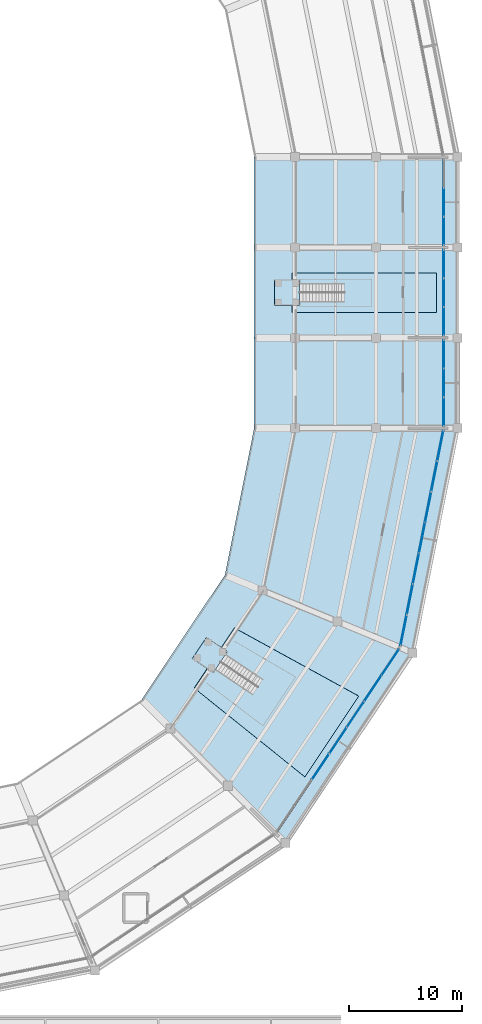
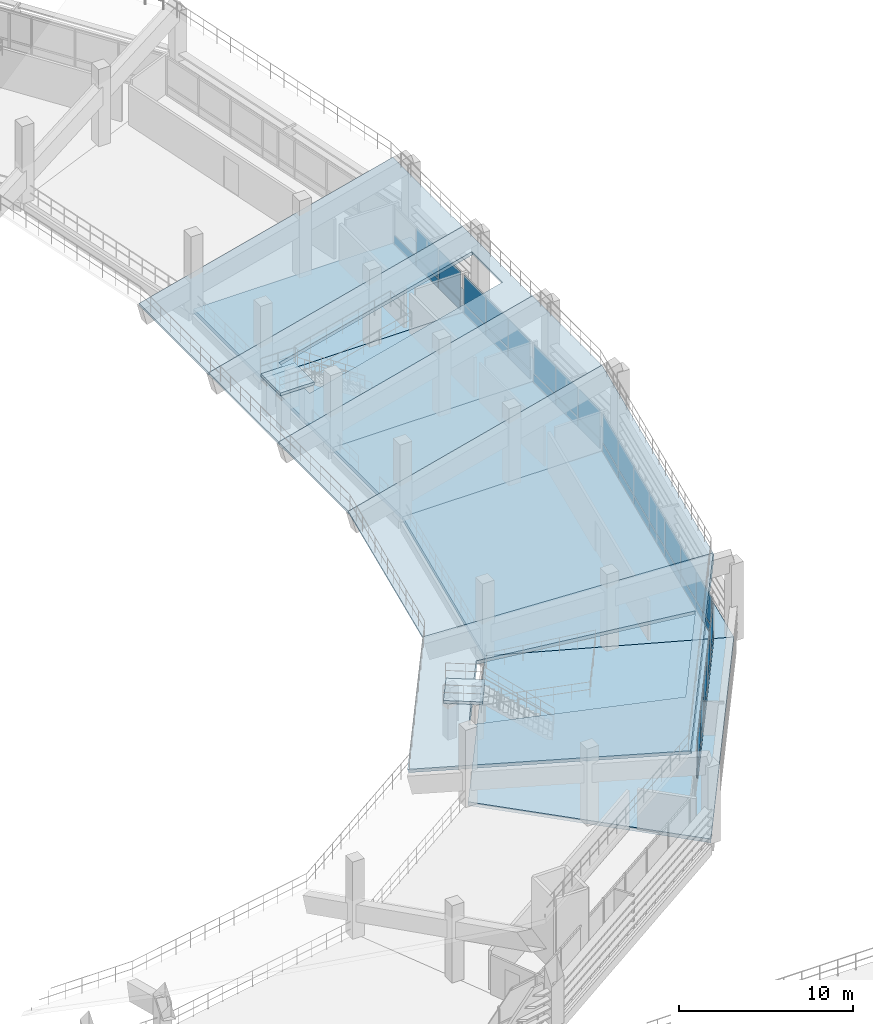
# One storey, part 54 of 96: 41 plates, 12 slabs, 7 elements without a shape of their own.
"""IFC4 building model written with IfcOpenShell, lengths in metres."""

from ifc_helpers import new_model, si_unit, direction, frame, origin, origin_2d, place, context, subcontext, project, spatial, polyline, rectangle, outline, extrude, material, layer, layer_set, type_object, element, aggregate, save


model = new_model("IFC4")

# Units and contexts
model_context = context("Model", 3, precision=1e-05, world=origin(), true_north=direction((0.0, 1.0)))
body_context = subcontext(model_context, "Body", "Model", "MODEL_VIEW")
ifc_project = project(units=[si_unit("LENGTHUNIT", "METRE"), si_unit("AREAUNIT", "SQUARE_METRE"), si_unit("VOLUMEUNIT", "CUBIC_METRE"), si_unit("PLANEANGLEUNIT", "RADIAN"), si_unit("MASSUNIT", "GRAM", prefix="KILO")], contexts=[model_context])

# Site, building, storey
site_placement = place(None, origin())
site = spatial("IfcSite", under=ifc_project, at=site_placement, CompositionType="ELEMENT")
building_placement = place(site_placement, origin())
building = spatial("IfcBuilding", under=site, at=building_placement, Name="Candeia Ridge Stadium", CompositionType="ELEMENT")
storey_placement = place(building_placement, frame((0.0, 0.0, 21.60009765625)))
storey = spatial("IfcBuildingStorey", under=building, at=storey_placement, Name="L04", CompositionType="ELEMENT", Elevation=21.60009765625)

# Slabs
ifc_material_1 = material(Name="Concrete C40/50", Category="concrete")
ifc_layer_1 = layer(ifc_material_1, 0.260009765625, Name="Concrete C40/50", Category="concrete")
ifc_layer_set_1 = layer_set([ifc_layer_1], Name="Concrete C40/50")
slab_type_1 = type_object("IfcSlabType", Name="Concourse Structural Slab 260", PredefinedType="FLOOR", material=ifc_layer_set_1)
slab_1_placement = place(storey_placement, frame((0.0, 0.0, -0.260009765625)))
element("IfcSlab", 1, at=slab_1_placement, inside=storey, type_object=slab_type_1, Name="Bowl concourse sector slab L04 bay 28 SLB-L04-0172", PredefinedType="FLOOR", context=body_context, shape_type="SweptSolid", body=[
    extrude(outline(polyline([(175.73779296875, 56.611083984375), (189.041748046875, 51.1005859375), (177.791748046875, 34.263671875), (167.609375, 44.446044921875), (175.73779296875, 56.611083984375)])), origin(), (0.0, 0.0, 1.0), 0.260009765625),
])
slab_2_placement = place(storey_placement, frame((0.0, 0.0, -0.260009765625)))
element("IfcSlab", 2, at=slab_2_placement, inside=storey, type_object=slab_type_1, Name="Bowl concourse sector slab L04 bay 29 SLB-L04-0173", PredefinedType="FLOOR", context=body_context, shape_type="SweptSolid", body=[
    extrude(outline(polyline([(178.60009765625, 71.0), (193.0, 71.0), (189.041748046875, 51.1005859375), (175.73779296875, 56.611083984375), (178.60009765625, 71.0)])), origin(), (0.0, 0.0, 1.0), 0.260009765625),
])
slab_3_placement = place(storey_placement, frame((0.0, 0.0, -0.260009765625)))
element("IfcSlab", 3, at=slab_3_placement, inside=storey, type_object=slab_type_1, Name="Bowl concourse sector slab L04 bay 30 SLB-L04-0174", PredefinedType="FLOOR", context=body_context, shape_type="SweptSolid", body=[
    extrude(outline(polyline([(178.60009765625, 79.0), (193.0, 79.0), (193.0, 71.0), (178.60009765625, 71.0), (178.60009765625, 79.0)])), origin(), (0.0, 0.0, 1.0), 0.260009765625),
])
slab_4_placement = place(storey_placement, frame((0.0, 0.0, -0.260009765625)))
element("IfcSlab", 4, at=slab_4_placement, inside=storey, type_object=slab_type_1, Name="Bowl concourse sector slab L04 bay 31 SLB-L04-0175", PredefinedType="FLOOR", context=body_context, shape_type="SweptSolid", body=[
    extrude(outline(polyline([(178.60009765625, 87.0), (193.0, 87.0), (193.0, 79.0), (178.60009765625, 79.0), (178.60009765625, 87.0)])), origin(), (0.0, 0.0, 1.0), 0.260009765625),
])
slab_5_placement = place(storey_placement, frame((0.0, 0.0, -0.260009765625)))
element("IfcSlab", 5, at=slab_5_placement, inside=storey, type_object=slab_type_1, Name="Bowl concourse sector slab L04 bay 32 SLB-L04-0176", PredefinedType="FLOOR", context=body_context, shape_type="SweptSolid", body=[
    extrude(outline(polyline([(178.60009765625, 95.0), (193.0, 95.0), (193.0, 87.0), (178.60009765625, 87.0), (178.60009765625, 95.0)])), origin(), (0.0, 0.0, 1.0), 0.260009765625),
])

# Stair, slab
ifc_material_2 = material(Name="Precast concrete C45/55", Category="concrete")
stair_type = type_object("IfcStairType", Name="Spectator Vomitory Straight Stair 2200", PredefinedType="STRAIGHT_RUN_STAIR", material=ifc_material_2)
stair_1_placement = place(storey_placement, origin())
stair_1 = element("IfcStair", 6, at=stair_1_placement, inside=storey, type_object=stair_type, Name="Vomitory stair VS34", PredefinedType="STRAIGHT_RUN_STAIR")
ifc_layer_2 = layer(ifc_material_1, 0.199951171875, Name="Concrete C40/50", Category="concrete")
ifc_layer_set_2 = layer_set([ifc_layer_2], Name="Concrete C40/50")
slab_type_2 = type_object("IfcSlabType", Name="Core Stair Landing Slab 200", PredefinedType="LANDING", material=ifc_layer_set_2)
slab_6_placement = place(storey_placement, frame((0.0, 0.0, 2.493896484375)))
slab_6 = element("IfcSlab", 7, at=slab_6_placement, type_object=slab_type_2, Name="VS34 landing 1", PredefinedType="LANDING", context=body_context, shape_type="SweptSolid", body=[
    extrude(outline(polyline([(171.39306640625, 49.344970703125), (169.521728515625, 50.595458984375), (170.766357421875, 52.457763671875), (172.637451171875, 51.20751953125), (171.39306640625, 49.344970703125)])), origin(), (0.0, 0.0, 1.0), 0.199951171875),
])
aggregate(stair_1, [slab_6])

stair_2_placement = place(storey_placement, origin())
stair_2 = element("IfcStair", 8, at=stair_2_placement, inside=storey, type_object=stair_type, Name="Vomitory stair VS35", PredefinedType="STRAIGHT_RUN_STAIR")
slab_7_placement = place(storey_placement, frame((0.0, 0.0, 2.493896484375)))
slab_7 = element("IfcSlab", 9, at=slab_7_placement, type_object=slab_type_2, Name="VS35 landing 1", PredefinedType="LANDING", context=body_context, shape_type="SweptSolid", body=[
    extrude(outline(polyline([(179.032470703125, 81.8798828125), (176.781982421875, 81.8798828125), (176.781982421875, 84.1201171875), (179.032470703125, 84.1201171875), (179.032470703125, 81.8798828125)])), origin(), (0.0, 0.0, 1.0), 0.199951171875),
])
aggregate(stair_2, [slab_7])

# Curtain wall, plates
ifc_material_3 = material(Name="Aluminium Anodized Warm Bronze", Category="aluminium")
curtain_wall_type = type_object("IfcCurtainWallType", Name="Concourse Recessed Unitised Curtain Wall", PredefinedType="NOTDEFINED", material=ifc_material_3)
curtain_wall_1_placement = place(storey_placement, origin())
curtain_wall_1 = element("IfcCurtainWall", 10, at=curtain_wall_1_placement, inside=storey, type_object=curtain_wall_type, Name="Unitised curtain wall CW-BWL-L04-28", PredefinedType="NOTDEFINED")
ifc_material_4 = material(Name="Aluminium Insulated Spandrel", Category="aluminium")
ifc_layer_3 = layer(ifc_material_4, 0.06494140625, Name="Aluminium Insulated Spandrel", Category="aluminium")
ifc_layer_set_3 = layer_set([ifc_layer_3], Name="Aluminium Insulated Spandrel")
plate_type_1 = type_object("IfcPlateType", Name="Insulated Bronze Spandrel Panel SP1", PredefinedType="CURTAIN_PANEL", material=ifc_layer_set_3)
plate_1_placement = place(storey_placement, frame((188.239501953125, 53.099609375, 0.0400390625), z_axis=(0.0, 0.0, 1.0), x_axis=(0.195090320544, 0.980785280696, 0.0)))
plate_1 = element("IfcPlate", 11, at=plate_1_placement, type_object=plate_type_1, Name="Curtain wall spandrel panel CW-BWL-L04-28-SP0", PredefinedType="CURTAIN_PANEL", context=body_context, shape_type="SweptSolid", body=[
    extrude(rectangle(XDim=2.710205078125, YDim=0.06494140625, at=origin_2d()), origin(), (0.0, 0.0, 1.0), 0.613037109375),
])
plate_2_placement = place(storey_placement, frame((188.78173828125, 55.826416015625, 0.0400390625), z_axis=(0.0, 0.0, 1.0), x_axis=(0.195090320544, 0.980785280696, 0.0)))
plate_2 = element("IfcPlate", 12, at=plate_2_placement, type_object=plate_type_1, Name="Curtain wall spandrel panel CW-BWL-L04-28-SP1", PredefinedType="CURTAIN_PANEL", context=body_context, shape_type="SweptSolid", body=[
    extrude(rectangle(XDim=2.710205078125, YDim=0.06494140625, at=origin_2d()), origin(), (0.0, 0.0, 1.0), 0.613037109375),
])
plate_3_placement = place(storey_placement, frame((189.32421875, 58.552978515625, 0.0400390625), z_axis=(0.0, 0.0, 1.0), x_axis=(0.195090320544, 0.980785280696, 0.0)))
plate_3 = element("IfcPlate", 13, at=plate_3_placement, type_object=plate_type_1, Name="Curtain wall spandrel panel CW-BWL-L04-28-SP2", PredefinedType="CURTAIN_PANEL", context=body_context, shape_type="SweptSolid", body=[
    extrude(rectangle(XDim=2.710205078125, YDim=0.06494140625, at=origin_2d()), origin(), (0.0, 0.0, 1.0), 0.613037109375),
])
plate_4_placement = place(storey_placement, frame((189.86669921875, 61.27978515625, 0.0400390625), z_axis=(0.0, 0.0, 1.0), x_axis=(0.195090320544, 0.980785280696, 0.0)))
plate_4 = element("IfcPlate", 14, at=plate_4_placement, type_object=plate_type_1, Name="Curtain wall spandrel panel CW-BWL-L04-28-SP3", PredefinedType="CURTAIN_PANEL", context=body_context, shape_type="SweptSolid", body=[
    extrude(rectangle(XDim=2.710205078125, YDim=0.06494140625, at=origin_2d()), origin(), (0.0, 0.0, 1.0), 0.613037109375),
])
plate_5_placement = place(storey_placement, frame((190.408935546875, 64.006591796875, 0.0400390625), z_axis=(0.0, 0.0, 1.0), x_axis=(0.195090320544, 0.980785280696, 0.0)))
plate_5 = element("IfcPlate", 15, at=plate_5_placement, type_object=plate_type_1, Name="Curtain wall spandrel panel CW-BWL-L04-28-SP4", PredefinedType="CURTAIN_PANEL", context=body_context, shape_type="SweptSolid", body=[
    extrude(rectangle(XDim=2.710205078125, YDim=0.06494140625, at=origin_2d()), origin(), (0.0, 0.0, 1.0), 0.613037109375),
])
plate_6_placement = place(storey_placement, frame((190.951416015625, 66.7333984375, 0.0400390625), z_axis=(0.0, 0.0, 1.0), x_axis=(0.195090320544, 0.980785280696, 0.0)))
plate_6 = element("IfcPlate", 16, at=plate_6_placement, type_object=plate_type_1, Name="Curtain wall spandrel panel CW-BWL-L04-28-SP5", PredefinedType="CURTAIN_PANEL", context=body_context, shape_type="SweptSolid", body=[
    extrude(rectangle(XDim=2.710205078125, YDim=0.06494140625, at=origin_2d()), origin(), (0.0, 0.0, 1.0), 0.613037109375),
])
plate_7_placement = place(storey_placement, frame((191.49365234375, 69.460205078125, 0.0400390625), z_axis=(0.0, 0.0, 1.0), x_axis=(0.195090320544, 0.980785280696, 0.0)))
plate_7 = element("IfcPlate", 17, at=plate_7_placement, type_object=plate_type_1, Name="Curtain wall spandrel panel CW-BWL-L04-28-SP6", PredefinedType="CURTAIN_PANEL", context=body_context, shape_type="SweptSolid", body=[
    extrude(rectangle(XDim=2.710205078125, YDim=0.06494140625, at=origin_2d()), origin(), (0.0, 0.0, 1.0), 0.613037109375),
])

curtain_wall_2_placement = place(storey_placement, origin())
curtain_wall_2 = element("IfcCurtainWall", 18, at=curtain_wall_2_placement, inside=storey, type_object=curtain_wall_type, Name="Unitised curtain wall CW-BWL-L04-29", PredefinedType="NOTDEFINED")
ifc_layer_4 = layer(ifc_material_4, 0.06494140625, Name="Aluminium Insulated Spandrel", Category="aluminium")
ifc_layer_set_4 = layer_set([ifc_layer_4], Name="Aluminium Insulated Spandrel")
plate_type_2 = type_object("IfcPlateType", Name="Insulated Bronze Spandrel Panel SP2", PredefinedType="CURTAIN_PANEL", material=ifc_layer_set_4)
plate_8_placement = place(storey_placement, frame((191.800048828125, 72.453369140625, 0.0400390625), z_axis=(0.0, 0.0, 1.0), x_axis=(0.0, 1.0, 0.0)))
plate_8 = element("IfcPlate", 19, at=plate_8_placement, type_object=plate_type_2, Name="Curtain wall spandrel panel CW-BWL-L04-29-SP0", PredefinedType="CURTAIN_PANEL", context=body_context, shape_type="SweptSolid", body=[
    extrude(rectangle(XDim=2.476806640625, YDim=0.06494140625, at=origin_2d()), origin(), (0.0, 0.0, 1.0), 0.613037109375),
])
plate_9_placement = place(storey_placement, frame((191.800048828125, 75.0, 0.0400390625), z_axis=(0.0, 0.0, 1.0), x_axis=(0.0, 1.0, 0.0)))
plate_9 = element("IfcPlate", 20, at=plate_9_placement, type_object=plate_type_2, Name="Curtain wall spandrel panel CW-BWL-L04-29-SP1", PredefinedType="CURTAIN_PANEL", context=body_context, shape_type="SweptSolid", body=[
    extrude(rectangle(XDim=2.476806640625, YDim=0.06494140625, at=origin_2d()), origin(), (0.0, 0.0, 1.0), 0.613037109375),
])
plate_10_placement = place(storey_placement, frame((191.800048828125, 77.546630859375, 0.0400390625), z_axis=(0.0, 0.0, 1.0), x_axis=(0.0, 1.0, 0.0)))
plate_10 = element("IfcPlate", 21, at=plate_10_placement, type_object=plate_type_2, Name="Curtain wall spandrel panel CW-BWL-L04-29-SP2", PredefinedType="CURTAIN_PANEL", context=body_context, shape_type="SweptSolid", body=[
    extrude(rectangle(XDim=2.476806640625, YDim=0.06494140625, at=origin_2d()), origin(), (0.0, 0.0, 1.0), 0.613037109375),
])

curtain_wall_3_placement = place(storey_placement, origin())
curtain_wall_3 = element("IfcCurtainWall", 22, at=curtain_wall_3_placement, inside=storey, type_object=curtain_wall_type, Name="Unitised curtain wall CW-BWL-L04-30", PredefinedType="NOTDEFINED")
ifc_layer_5 = layer(ifc_material_4, 0.06494140625, Name="Aluminium Insulated Spandrel", Category="aluminium")
ifc_layer_set_5 = layer_set([ifc_layer_5], Name="Aluminium Insulated Spandrel")
plate_type_3 = type_object("IfcPlateType", Name="Insulated Bronze Spandrel Panel SP4", PredefinedType="CURTAIN_PANEL", material=ifc_layer_set_5)
plate_11_placement = place(storey_placement, frame((191.800048828125, 80.453369140625, 0.0400390625), z_axis=(0.0, 0.0, 1.0), x_axis=(0.0, 1.0, 0.0)))
plate_11 = element("IfcPlate", 23, at=plate_11_placement, type_object=plate_type_3, Name="Curtain wall spandrel panel CW-BWL-L04-30-SP0", PredefinedType="CURTAIN_PANEL", context=body_context, shape_type="SweptSolid", body=[
    extrude(rectangle(XDim=2.476806640625, YDim=0.06494140625, at=origin_2d()), origin(), (0.0, 0.0, 1.0), 0.613037109375),
])
plate_12_placement = place(storey_placement, frame((191.800048828125, 83.0, 0.0400390625), z_axis=(0.0, 0.0, 1.0), x_axis=(0.0, 1.0, 0.0)))
plate_12 = element("IfcPlate", 24, at=plate_12_placement, type_object=plate_type_3, Name="Curtain wall spandrel panel CW-BWL-L04-30-SP1", PredefinedType="CURTAIN_PANEL", context=body_context, shape_type="SweptSolid", body=[
    extrude(rectangle(XDim=2.476806640625, YDim=0.06494140625, at=origin_2d()), origin(), (0.0, 0.0, 1.0), 0.613037109375),
])
plate_13_placement = place(storey_placement, frame((191.800048828125, 85.546630859375, 0.0400390625), z_axis=(0.0, 0.0, 1.0), x_axis=(0.0, 1.0, 0.0)))
plate_13 = element("IfcPlate", 25, at=plate_13_placement, type_object=plate_type_3, Name="Curtain wall spandrel panel CW-BWL-L04-30-SP2", PredefinedType="CURTAIN_PANEL", context=body_context, shape_type="SweptSolid", body=[
    extrude(rectangle(XDim=2.476806640625, YDim=0.06494140625, at=origin_2d()), origin(), (0.0, 0.0, 1.0), 0.613037109375),
])

curtain_wall_4_placement = place(storey_placement, origin())
curtain_wall_4 = element("IfcCurtainWall", 26, at=curtain_wall_4_placement, inside=storey, type_object=curtain_wall_type, Name="Unitised curtain wall CW-BWL-L04-27", PredefinedType="NOTDEFINED")
ifc_layer_6 = layer(ifc_material_4, 0.06494140625, Name="Aluminium Insulated Spandrel", Category="aluminium")
ifc_layer_set_6 = layer_set([ifc_layer_6], Name="Aluminium Insulated Spandrel")
plate_type_4 = type_object("IfcPlateType", Name="Insulated Bronze Spandrel Panel SP5", PredefinedType="CURTAIN_PANEL", material=ifc_layer_set_6)
plate_14_placement = place(storey_placement, frame((180.882568359375, 41.0078125, 0.0400390625), z_axis=(0.0, 0.0, 1.0), x_axis=(0.555571447533, 0.831468800789, 0.0)))
plate_14 = element("IfcPlate", 27, at=plate_14_placement, type_object=plate_type_4, Name="Curtain wall spandrel panel CW-BWL-L04-27-SP2", PredefinedType="CURTAIN_PANEL", context=body_context, shape_type="SweptSolid", body=[
    extrude(rectangle(XDim=2.710205078125, YDim=0.06494140625, at=origin_2d()), origin(), (0.0, 0.0, 1.0), 0.613037109375),
])
plate_15_placement = place(storey_placement, frame((182.427001953125, 43.3193359375, 0.0400390625), z_axis=(0.0, 0.0, 1.0), x_axis=(0.555571447533, 0.831468800789, 0.0)))
plate_15 = element("IfcPlate", 28, at=plate_15_placement, type_object=plate_type_4, Name="Curtain wall spandrel panel CW-BWL-L04-27-SP3", PredefinedType="CURTAIN_PANEL", context=body_context, shape_type="SweptSolid", body=[
    extrude(rectangle(XDim=2.710205078125, YDim=0.06494140625, at=origin_2d()), origin(), (0.0, 0.0, 1.0), 0.613037109375),
])
plate_16_placement = place(storey_placement, frame((183.9716796875, 45.630859375, 0.0400390625), z_axis=(0.0, 0.0, 1.0), x_axis=(0.555571447533, 0.831468800789, 0.0)))
plate_16 = element("IfcPlate", 29, at=plate_16_placement, type_object=plate_type_4, Name="Curtain wall spandrel panel CW-BWL-L04-27-SP4", PredefinedType="CURTAIN_PANEL", context=body_context, shape_type="SweptSolid", body=[
    extrude(rectangle(XDim=2.710205078125, YDim=0.06494140625, at=origin_2d()), origin(), (0.0, 0.0, 1.0), 0.613037109375),
])
plate_17_placement = place(storey_placement, frame((185.51611328125, 47.942626953125, 0.0400390625), z_axis=(0.0, 0.0, 1.0), x_axis=(0.555571447533, 0.831468800789, 0.0)))
plate_17 = element("IfcPlate", 30, at=plate_17_placement, type_object=plate_type_4, Name="Curtain wall spandrel panel CW-BWL-L04-27-SP5", PredefinedType="CURTAIN_PANEL", context=body_context, shape_type="SweptSolid", body=[
    extrude(rectangle(XDim=2.710205078125, YDim=0.06494140625, at=origin_2d()), origin(), (0.0, 0.0, 1.0), 0.613037109375),
])
plate_18_placement = place(storey_placement, frame((187.060791015625, 50.254150390625, 0.0400390625), z_axis=(0.0, 0.0, 1.0), x_axis=(0.555571447533, 0.831468800789, 0.0)))
plate_18 = element("IfcPlate", 31, at=plate_18_placement, type_object=plate_type_4, Name="Curtain wall spandrel panel CW-BWL-L04-27-SP6", PredefinedType="CURTAIN_PANEL", context=body_context, shape_type="SweptSolid", body=[
    extrude(rectangle(XDim=2.710205078125, YDim=0.06494140625, at=origin_2d()), origin(), (0.0, 0.0, 1.0), 0.613037109375),
])

curtain_wall_5_placement = place(storey_placement, origin())
curtain_wall_5 = element("IfcCurtainWall", 32, at=curtain_wall_5_placement, inside=storey, type_object=curtain_wall_type, Name="Unitised curtain wall CW-BWL-L04-31", PredefinedType="NOTDEFINED")
plate_19_placement = place(storey_placement, frame((191.800048828125, 88.453369140625, 0.0400390625), z_axis=(0.0, 0.0, 1.0), x_axis=(0.0, 1.0, 0.0)))
plate_19 = element("IfcPlate", 33, at=plate_19_placement, type_object=plate_type_4, Name="Curtain wall spandrel panel CW-BWL-L04-31-SP0", PredefinedType="CURTAIN_PANEL", context=body_context, shape_type="SweptSolid", body=[
    extrude(rectangle(XDim=2.476806640625, YDim=0.06494140625, at=origin_2d()), origin(), (0.0, 0.0, 1.0), 0.613037109375),
])
plate_20_placement = place(storey_placement, frame((191.800048828125, 91.0, 0.0400390625), z_axis=(0.0, 0.0, 1.0), x_axis=(0.0, 1.0, 0.0)))
plate_20 = element("IfcPlate", 34, at=plate_20_placement, type_object=plate_type_4, Name="Curtain wall spandrel panel CW-BWL-L04-31-SP1", PredefinedType="CURTAIN_PANEL", context=body_context, shape_type="SweptSolid", body=[
    extrude(rectangle(XDim=2.476806640625, YDim=0.06494140625, at=origin_2d()), origin(), (0.0, 0.0, 1.0), 0.613037109375),
])
plate_21_placement = place(storey_placement, frame((191.800048828125, 93.546630859375, 0.0400390625), z_axis=(0.0, 0.0, 1.0), x_axis=(0.0, 1.0, 0.0)))
plate_21 = element("IfcPlate", 35, at=plate_21_placement, type_object=plate_type_4, Name="Curtain wall spandrel panel CW-BWL-L04-31-SP2", PredefinedType="CURTAIN_PANEL", context=body_context, shape_type="SweptSolid", body=[
    extrude(rectangle(XDim=2.476806640625, YDim=0.06494140625, at=origin_2d()), origin(), (0.0, 0.0, 1.0), 0.613037109375),
])

# Plate
ifc_material_5 = material(Name="Tempered Low-E Double Glazing", Category="glass")
ifc_layer_7 = layer(ifc_material_5, 0.035888671875, Name="Tempered Low-E Double Glazing", Category="glass")
ifc_layer_set_7 = layer_set([ifc_layer_7], Name="Tempered Low-E Double Glazing")
plate_type_5 = type_object("IfcPlateType", Name="Solar Control Vision Glass Panel GP2", PredefinedType="CURTAIN_PANEL", material=ifc_layer_set_7)
plate_22_placement = place(storey_placement, frame((180.882568359375, 41.0078125, 0.733154296875), z_axis=(0.0, 0.0, 1.0), x_axis=(0.555571447533, 0.831468800789, 0.0)))
plate_22 = element("IfcPlate", 36, at=plate_22_placement, type_object=plate_type_5, Name="Curtain wall vision glass panel CW-BWL-L04-27-GP2", PredefinedType="CURTAIN_PANEL", context=body_context, shape_type="SweptSolid", body=[
    extrude(rectangle(XDim=2.710205078125, YDim=0.035888671875, at=origin_2d()), origin(), (0.0, 0.0, 1.0), 1.9990234375),
])

plate_23_placement = place(storey_placement, frame((182.427001953125, 43.3193359375, 0.733154296875), z_axis=(0.0, 0.0, 1.0), x_axis=(0.555571447533, 0.831468800789, 0.0)))
plate_23 = element("IfcPlate", 37, at=plate_23_placement, type_object=plate_type_5, Name="Curtain wall vision glass panel CW-BWL-L04-27-GP3", PredefinedType="CURTAIN_PANEL", context=body_context, shape_type="SweptSolid", body=[
    extrude(rectangle(XDim=2.710205078125, YDim=0.035888671875, at=origin_2d()), origin(), (0.0, 0.0, 1.0), 1.9990234375),
])

plate_24_placement = place(storey_placement, frame((183.9716796875, 45.630859375, 0.733154296875), z_axis=(0.0, 0.0, 1.0), x_axis=(0.555571447533, 0.831468800789, 0.0)))
plate_24 = element("IfcPlate", 38, at=plate_24_placement, type_object=plate_type_5, Name="Curtain wall vision glass panel CW-BWL-L04-27-GP4", PredefinedType="CURTAIN_PANEL", context=body_context, shape_type="SweptSolid", body=[
    extrude(rectangle(XDim=2.710205078125, YDim=0.035888671875, at=origin_2d()), origin(), (0.0, 0.0, 1.0), 1.9990234375),
])

plate_25_placement = place(storey_placement, frame((185.51611328125, 47.942626953125, 0.733154296875), z_axis=(0.0, 0.0, 1.0), x_axis=(0.555571447533, 0.831468800789, 0.0)))
plate_25 = element("IfcPlate", 39, at=plate_25_placement, type_object=plate_type_5, Name="Curtain wall vision glass panel CW-BWL-L04-27-GP5", PredefinedType="CURTAIN_PANEL", context=body_context, shape_type="SweptSolid", body=[
    extrude(rectangle(XDim=2.710205078125, YDim=0.035888671875, at=origin_2d()), origin(), (0.0, 0.0, 1.0), 1.9990234375),
])

plate_26_placement = place(storey_placement, frame((187.060791015625, 50.254150390625, 0.733154296875), z_axis=(0.0, 0.0, 1.0), x_axis=(0.555571447533, 0.831468800789, 0.0)))
plate_26 = element("IfcPlate", 40, at=plate_26_placement, type_object=plate_type_5, Name="Curtain wall vision glass panel CW-BWL-L04-27-GP6", PredefinedType="CURTAIN_PANEL", context=body_context, shape_type="SweptSolid", body=[
    extrude(rectangle(XDim=2.710205078125, YDim=0.035888671875, at=origin_2d()), origin(), (0.0, 0.0, 1.0), 1.9990234375),
])

aggregate(curtain_wall_4, [plate_14, plate_22, plate_15, plate_23, plate_16, plate_24, plate_17, plate_25, plate_18, plate_26])

ifc_layer_8 = layer(ifc_material_5, 0.035888671875, Name="Tempered Low-E Double Glazing", Category="glass")
ifc_layer_set_8 = layer_set([ifc_layer_8], Name="Tempered Low-E Double Glazing")
plate_type_6 = type_object("IfcPlateType", Name="Solar Control Vision Glass Panel GP5", PredefinedType="CURTAIN_PANEL", material=ifc_layer_set_8)
plate_27_placement = place(storey_placement, frame((188.239501953125, 53.099609375, 0.733154296875), z_axis=(0.0, 0.0, 1.0), x_axis=(0.195090320544, 0.980785280696, 0.0)))
plate_27 = element("IfcPlate", 41, at=plate_27_placement, type_object=plate_type_6, Name="Curtain wall vision glass panel CW-BWL-L04-28-GP0", PredefinedType="CURTAIN_PANEL", context=body_context, shape_type="SweptSolid", body=[
    extrude(rectangle(XDim=2.710205078125, YDim=0.035888671875, at=origin_2d()), origin(), (0.0, 0.0, 1.0), 1.9990234375),
])

plate_28_placement = place(storey_placement, frame((188.78173828125, 55.826416015625, 0.733154296875), z_axis=(0.0, 0.0, 1.0), x_axis=(0.195090320544, 0.980785280696, 0.0)))
plate_28 = element("IfcPlate", 42, at=plate_28_placement, type_object=plate_type_6, Name="Curtain wall vision glass panel CW-BWL-L04-28-GP1", PredefinedType="CURTAIN_PANEL", context=body_context, shape_type="SweptSolid", body=[
    extrude(rectangle(XDim=2.710205078125, YDim=0.035888671875, at=origin_2d()), origin(), (0.0, 0.0, 1.0), 1.9990234375),
])

plate_29_placement = place(storey_placement, frame((189.32421875, 58.552978515625, 0.733154296875), z_axis=(0.0, 0.0, 1.0), x_axis=(0.195090320544, 0.980785280696, 0.0)))
plate_29 = element("IfcPlate", 43, at=plate_29_placement, type_object=plate_type_6, Name="Curtain wall vision glass panel CW-BWL-L04-28-GP2", PredefinedType="CURTAIN_PANEL", context=body_context, shape_type="SweptSolid", body=[
    extrude(rectangle(XDim=2.710205078125, YDim=0.035888671875, at=origin_2d()), origin(), (0.0, 0.0, 1.0), 1.9990234375),
])

plate_30_placement = place(storey_placement, frame((189.86669921875, 61.27978515625, 0.733154296875), z_axis=(0.0, 0.0, 1.0), x_axis=(0.195090320544, 0.980785280696, 0.0)))
plate_30 = element("IfcPlate", 44, at=plate_30_placement, type_object=plate_type_6, Name="Curtain wall vision glass panel CW-BWL-L04-28-GP3", PredefinedType="CURTAIN_PANEL", context=body_context, shape_type="SweptSolid", body=[
    extrude(rectangle(XDim=2.710205078125, YDim=0.035888671875, at=origin_2d()), origin(), (0.0, 0.0, 1.0), 1.9990234375),
])

plate_31_placement = place(storey_placement, frame((190.408935546875, 64.006591796875, 0.733154296875), z_axis=(0.0, 0.0, 1.0), x_axis=(0.195090320544, 0.980785280696, 0.0)))
plate_31 = element("IfcPlate", 45, at=plate_31_placement, type_object=plate_type_6, Name="Curtain wall vision glass panel CW-BWL-L04-28-GP4", PredefinedType="CURTAIN_PANEL", context=body_context, shape_type="SweptSolid", body=[
    extrude(rectangle(XDim=2.710205078125, YDim=0.035888671875, at=origin_2d()), origin(), (0.0, 0.0, 1.0), 1.9990234375),
])

plate_32_placement = place(storey_placement, frame((190.951416015625, 66.7333984375, 0.733154296875), z_axis=(0.0, 0.0, 1.0), x_axis=(0.195090320544, 0.980785280696, 0.0)))
plate_32 = element("IfcPlate", 46, at=plate_32_placement, type_object=plate_type_6, Name="Curtain wall vision glass panel CW-BWL-L04-28-GP5", PredefinedType="CURTAIN_PANEL", context=body_context, shape_type="SweptSolid", body=[
    extrude(rectangle(XDim=2.710205078125, YDim=0.035888671875, at=origin_2d()), origin(), (0.0, 0.0, 1.0), 1.9990234375),
])

plate_33_placement = place(storey_placement, frame((191.49365234375, 69.460205078125, 0.733154296875), z_axis=(0.0, 0.0, 1.0), x_axis=(0.195090320544, 0.980785280696, 0.0)))
plate_33 = element("IfcPlate", 47, at=plate_33_placement, type_object=plate_type_6, Name="Curtain wall vision glass panel CW-BWL-L04-28-GP6", PredefinedType="CURTAIN_PANEL", context=body_context, shape_type="SweptSolid", body=[
    extrude(rectangle(XDim=2.710205078125, YDim=0.035888671875, at=origin_2d()), origin(), (0.0, 0.0, 1.0), 1.9990234375),
])

aggregate(curtain_wall_1, [plate_1, plate_27, plate_2, plate_28, plate_3, plate_29, plate_4, plate_30, plate_5, plate_31, plate_6, plate_32, plate_7, plate_33])

ifc_layer_9 = layer(ifc_material_5, 0.035888671875, Name="Tempered Low-E Double Glazing", Category="glass")
ifc_layer_set_9 = layer_set([ifc_layer_9], Name="Tempered Low-E Double Glazing")
plate_type_7 = type_object("IfcPlateType", Name="Solar Control Vision Glass Panel GP6", PredefinedType="CURTAIN_PANEL", material=ifc_layer_set_9)
plate_34_placement = place(storey_placement, frame((191.800048828125, 72.453369140625, 0.733154296875), z_axis=(0.0, 0.0, 1.0), x_axis=(0.0, 1.0, 0.0)))
plate_34 = element("IfcPlate", 48, at=plate_34_placement, type_object=plate_type_7, Name="Curtain wall vision glass panel CW-BWL-L04-29-GP0", PredefinedType="CURTAIN_PANEL", context=body_context, shape_type="SweptSolid", body=[
    extrude(rectangle(XDim=2.476806640625, YDim=0.035888671875, at=origin_2d()), origin(), (0.0, 0.0, 1.0), 1.9990234375),
])

plate_35_placement = place(storey_placement, frame((191.800048828125, 75.0, 0.733154296875), z_axis=(0.0, 0.0, 1.0), x_axis=(0.0, 1.0, 0.0)))
plate_35 = element("IfcPlate", 49, at=plate_35_placement, type_object=plate_type_7, Name="Curtain wall vision glass panel CW-BWL-L04-29-GP1", PredefinedType="CURTAIN_PANEL", context=body_context, shape_type="SweptSolid", body=[
    extrude(rectangle(XDim=2.476806640625, YDim=0.035888671875, at=origin_2d()), origin(), (0.0, 0.0, 1.0), 1.9990234375),
])

plate_36_placement = place(storey_placement, frame((191.800048828125, 77.546630859375, 0.733154296875), z_axis=(0.0, 0.0, 1.0), x_axis=(0.0, 1.0, 0.0)))
plate_36 = element("IfcPlate", 50, at=plate_36_placement, type_object=plate_type_7, Name="Curtain wall vision glass panel CW-BWL-L04-29-GP2", PredefinedType="CURTAIN_PANEL", context=body_context, shape_type="SweptSolid", body=[
    extrude(rectangle(XDim=2.476806640625, YDim=0.035888671875, at=origin_2d()), origin(), (0.0, 0.0, 1.0), 1.9990234375),
])

aggregate(curtain_wall_2, [plate_8, plate_34, plate_9, plate_35, plate_10, plate_36])

ifc_layer_10 = layer(ifc_material_5, 0.035888671875, Name="Tempered Low-E Double Glazing", Category="glass")
ifc_layer_set_10 = layer_set([ifc_layer_10], Name="Tempered Low-E Double Glazing")
plate_type_8 = type_object("IfcPlateType", Name="Solar Control Vision Glass Panel GP7", PredefinedType="CURTAIN_PANEL", material=ifc_layer_set_10)
plate_37_placement = place(storey_placement, frame((191.800048828125, 80.453369140625, 0.733154296875), z_axis=(0.0, 0.0, 1.0), x_axis=(0.0, 1.0, 0.0)))
plate_37 = element("IfcPlate", 51, at=plate_37_placement, type_object=plate_type_8, Name="Curtain wall vision glass panel CW-BWL-L04-30-GP0", PredefinedType="CURTAIN_PANEL", context=body_context, shape_type="SweptSolid", body=[
    extrude(rectangle(XDim=2.476806640625, YDim=0.035888671875, at=origin_2d()), origin(), (0.0, 0.0, 1.0), 1.9990234375),
])

plate_38_placement = place(storey_placement, frame((191.800048828125, 83.0, 0.733154296875), z_axis=(0.0, 0.0, 1.0), x_axis=(0.0, 1.0, 0.0)))
plate_38 = element("IfcPlate", 52, at=plate_38_placement, type_object=plate_type_8, Name="Curtain wall vision glass panel CW-BWL-L04-30-GP1", PredefinedType="CURTAIN_PANEL", context=body_context, shape_type="SweptSolid", body=[
    extrude(rectangle(XDim=2.476806640625, YDim=0.035888671875, at=origin_2d()), origin(), (0.0, 0.0, 1.0), 1.9990234375),
])

plate_39_placement = place(storey_placement, frame((191.800048828125, 85.546630859375, 0.733154296875), z_axis=(0.0, 0.0, 1.0), x_axis=(0.0, 1.0, 0.0)))
plate_39 = element("IfcPlate", 53, at=plate_39_placement, type_object=plate_type_8, Name="Curtain wall vision glass panel CW-BWL-L04-30-GP2", PredefinedType="CURTAIN_PANEL", context=body_context, shape_type="SweptSolid", body=[
    extrude(rectangle(XDim=2.476806640625, YDim=0.035888671875, at=origin_2d()), origin(), (0.0, 0.0, 1.0), 1.9990234375),
])

aggregate(curtain_wall_3, [plate_11, plate_37, plate_12, plate_38, plate_13, plate_39])

ifc_layer_11 = layer(ifc_material_5, 0.035888671875, Name="Tempered Low-E Double Glazing", Category="glass")
ifc_layer_set_11 = layer_set([ifc_layer_11], Name="Tempered Low-E Double Glazing")
plate_type_9 = type_object("IfcPlateType", Name="Solar Control Vision Glass Panel GP8", PredefinedType="CURTAIN_PANEL", material=ifc_layer_set_11)
plate_40_placement = place(storey_placement, frame((191.800048828125, 88.453369140625, 0.733154296875), z_axis=(0.0, 0.0, 1.0), x_axis=(0.0, 1.0, 0.0)))
plate_40 = element("IfcPlate", 54, at=plate_40_placement, type_object=plate_type_9, Name="Curtain wall vision glass panel CW-BWL-L04-31-GP0", PredefinedType="CURTAIN_PANEL", context=body_context, shape_type="SweptSolid", body=[
    extrude(rectangle(XDim=2.476806640625, YDim=0.035888671875, at=origin_2d()), origin(), (0.0, 0.0, 1.0), 1.9990234375),
])

plate_41_placement = place(storey_placement, frame((191.800048828125, 91.0, 0.733154296875), z_axis=(0.0, 0.0, 1.0), x_axis=(0.0, 1.0, 0.0)))
plate_41 = element("IfcPlate", 55, at=plate_41_placement, type_object=plate_type_9, Name="Curtain wall vision glass panel CW-BWL-L04-31-GP1", PredefinedType="CURTAIN_PANEL", context=body_context, shape_type="SweptSolid", body=[
    extrude(rectangle(XDim=2.476806640625, YDim=0.035888671875, at=origin_2d()), origin(), (0.0, 0.0, 1.0), 1.9990234375),
])

aggregate(curtain_wall_5, [plate_19, plate_40, plate_20, plate_41, plate_21])

# Slabs
ifc_layer_12 = layer(ifc_material_2, 0.239990234375, Name="Precast concrete C45/55", Category="concrete")
ifc_layer_set_12 = layer_set([ifc_layer_12], Name="Precast concrete C45/55")
slab_type_3 = type_object("IfcSlabType", Name="Upper Cantilever Tier Precast 240", PredefinedType="USERDEFINED", material=ifc_layer_set_12)
slab_8_placement = place(storey_placement, frame((165.0419921875, 46.9580078125, 1.64990234375), z_axis=(-0.212249411471, 0.14181603517, 0.96687041505), x_axis=(0.555541902497, 0.831488541438, -5.136556e-06)))
element("IfcSlab", 56, at=slab_8_placement, inside=storey, type_object=slab_type_3, Name="Stand Upper Tier Stands Bay 28", ObjectType="SEATING TIER", PredefinedType="USERDEFINED", context=body_context, shape_type="SweptSolid", body=[
    extrude(outline(polyline([(0.0, 0.0), (13.266563896581555, 8.881784197001252e-16), (16.543502769757378, -17.041649109583425), (-3.277966598499786, -17.04098330454092), (0.0, 0.0)]), holes=[polyline([(3.4259240265647586, -3.408030708775468), (9.840190723790146, -3.4087029950675576), (10.935500606534154, -16.360441110728413), (2.329584120169721, -16.35922607191185), (3.4259240265647586, -3.408030708775468)])]), origin(), (0.0, 0.0, -1.0), 0.239990234375),
])
slab_9_placement = place(storey_placement, frame((172.412109375, 57.989013671875, 1.64990234375), z_axis=(-0.2503576128, 0.049798786666, 0.966871835643), x_axis=(0.195079675491, 0.980787398066, -2.420734e-06)))
element("IfcSlab", 57, at=slab_9_placement, inside=storey, type_object=slab_type_3, Name="Stand Upper Tier Stands Bay 29", ObjectType="SEATING TIER", PredefinedType="USERDEFINED", context=body_context, shape_type="SweptSolid", body=[
    extrude(outline(polyline([(0.0, 0.0), (13.265856290361187, 4.440892098500626e-16), (16.54319383355014, -17.04183232147286), (-3.2776177725242213, -17.04151855011149), (0.0, 0.0)])), origin(), (0.0, 0.0, -1.0), 0.239990234375),
])
slab_10_placement = place(storey_placement, frame((175.0, 71.0, 1.64990234375), z_axis=(-0.25066676964, 0.0, 0.968073432441), x_axis=(0.0, 1.0, 0.0)))
element("IfcSlab", 58, at=slab_10_placement, inside=storey, type_object=slab_type_3, Name="Stand Upper Tier Stands Bay 30", ObjectType="SEATING TIER", PredefinedType="USERDEFINED", context=body_context, shape_type="SweptSolid", body=[
    extrude(outline(polyline([(0.0, 0.0), (8.0, 0.0), (8.0, -17.354105861331373), (0.0, -17.354105861331373), (0.0, 0.0)])), origin(), (0.0, 0.0, -1.0), 0.239990234375),
])
slab_11_placement = place(storey_placement, frame((175.0, 79.0, 1.64990234375), z_axis=(-0.25066676964, 0.0, 0.968073432441), x_axis=(0.0, 1.0, 0.0)))
element("IfcSlab", 59, at=slab_11_placement, inside=storey, type_object=slab_type_3, Name="Stand Upper Tier Stands Bay 31", ObjectType="SEATING TIER", PredefinedType="USERDEFINED", context=body_context, shape_type="SweptSolid", body=[
    extrude(outline(polyline([(0.0, 0.0), (8.0, 0.0), (8.0, -17.354105861331373), (0.0, -17.354105861331373), (0.0, 0.0)]), holes=[polyline([(2.239990234375, -3.4709401898641343), (5.760009765625, -3.4709401898641343), (5.760009765625, -16.65981104534905), (2.239990234375, -16.65981104534905), (2.239990234375, -3.4709401898641343)])]), origin(), (0.0, 0.0, -1.0), 0.239990234375),
])
slab_12_placement = place(storey_placement, frame((175.0, 87.0, 1.64990234375), z_axis=(-0.25066676964, 0.0, 0.968073432441), x_axis=(0.0, 1.0, 0.0)))
element("IfcSlab", 60, at=slab_12_placement, inside=storey, type_object=slab_type_3, Name="Stand Upper Tier Stands Bay 32", ObjectType="SEATING TIER", PredefinedType="USERDEFINED", context=body_context, shape_type="SweptSolid", body=[
    extrude(outline(polyline([(0.0, 0.0), (8.0, 0.0), (8.0, -17.354105861331373), (0.0, -17.354105861331373), (0.0, 0.0)])), origin(), (0.0, 0.0, -1.0), 0.239990234375),
])

save(model, "model.ifc")
